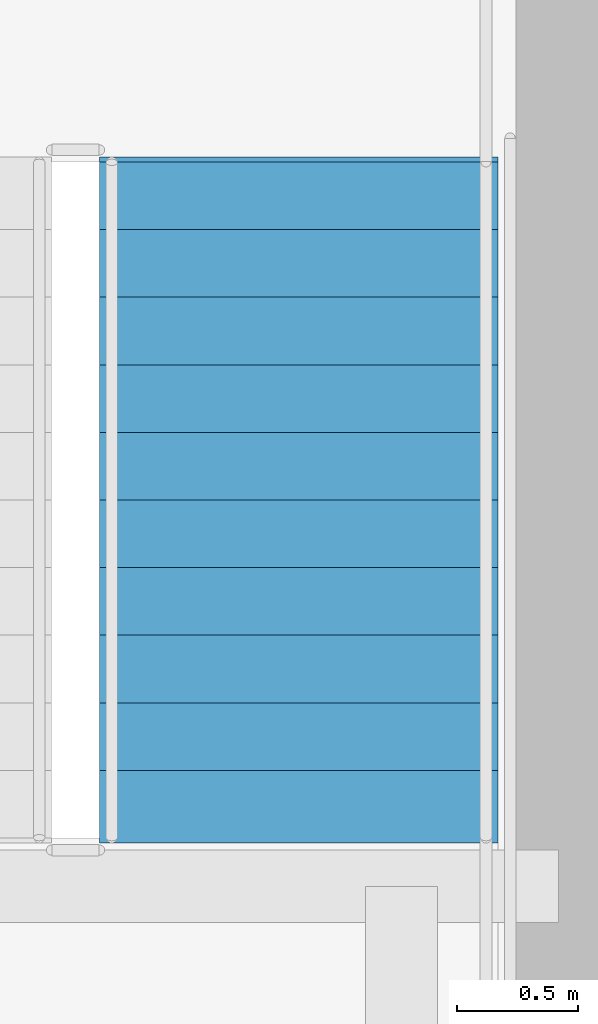
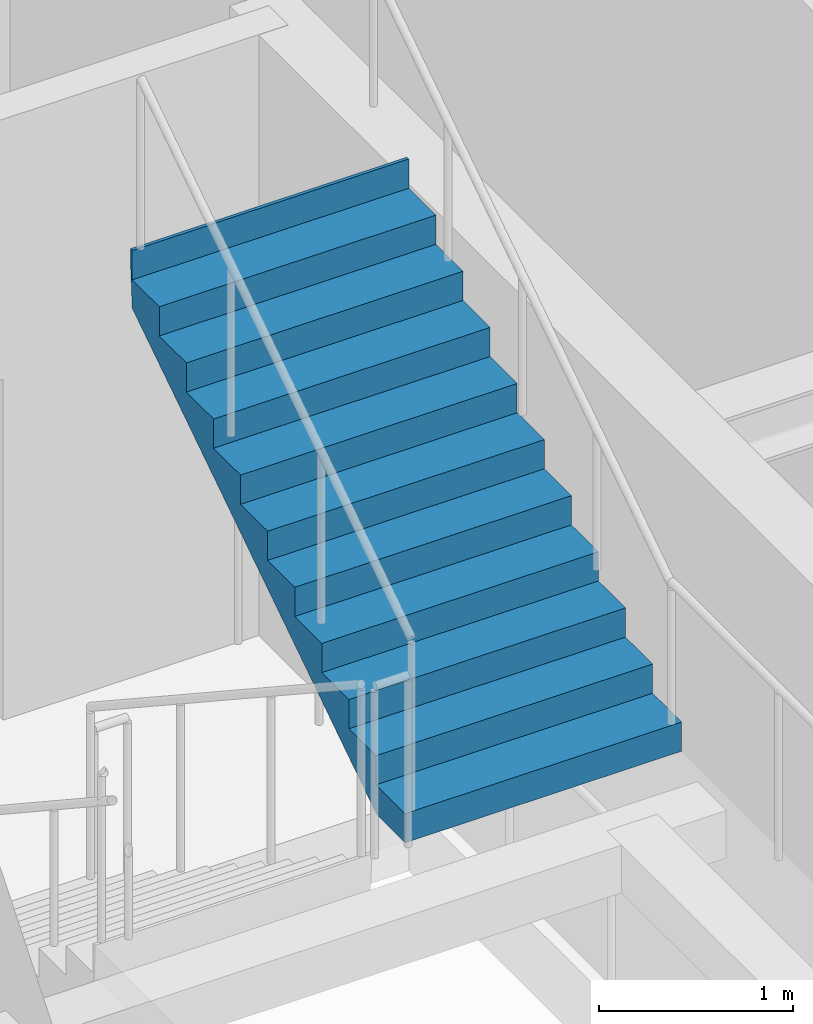
# One storey, part 31 of 36: 1 stair flight, 1 element without a shape of its own.
"""IFC4 building model written with IfcOpenShell, lengths in metres."""

from ifc_helpers import new_model, si_unit, direction, frame, origin, place, context, subcontext, project, spatial, polygons, material, type_object, element, aggregate, save


model = new_model("IFC4")

# Units and contexts
model_context = context("Model", 3, precision=1e-05, world=origin(), true_north=direction((0.0, 1.0)))
body_context = subcontext(model_context, "Body", "Model", "MODEL_VIEW")
ifc_project = project(units=[si_unit("LENGTHUNIT", "METRE"), si_unit("AREAUNIT", "SQUARE_METRE"), si_unit("VOLUMEUNIT", "CUBIC_METRE"), si_unit("PLANEANGLEUNIT", "RADIAN"), si_unit("MASSUNIT", "GRAM", prefix="KILO")], contexts=[model_context])

# Site, building, storey
site_placement = place(None, origin())
site = spatial("IfcSite", under=ifc_project, at=site_placement, CompositionType="ELEMENT")
building_placement = place(site_placement, origin())
building = spatial("IfcBuilding", under=site, at=building_placement, Name="Serunith Strait Residences", CompositionType="ELEMENT")
storey_placement = place(building_placement, frame((0.0, 0.0, 338.0)))
storey = spatial("IfcBuildingStorey", under=building, at=storey_placement, Name="L84", CompositionType="ELEMENT", Elevation=338.0)

# Stair, stair flight
ifc_material = material(Name="Concrete C50/60", Category="concrete")
stair_type = type_object("IfcStairType", Name="STR-CORE-2", PredefinedType="HALF_TURN_STAIR", material=ifc_material)
stair_placement = place(storey_placement, origin())
stair = element("IfcStair", 1, at=stair_placement, inside=storey, type_object=stair_type, Name="L84 Protected Escape Stair ST-2", PredefinedType="HALF_TURN_STAIR")
stair_flight_type = type_object("IfcStairFlightType", Name="FLT-CORE-2", PredefinedType="STRAIGHT", material=ifc_material)
stair_flight_placement = place(storey_placement, frame((40.324951171875, 20.570068359375, 2.02490234375), z_axis=(0.0, 0.0, 1.0), x_axis=(0.0, 1.0, 0.0)))
stair_flight = element("IfcStairFlight", 2, at=stair_flight_placement, type_object=stair_flight_type, Name="ST-2 flight 2", NumberOfRisers=11, NumberOfTreads=10, PredefinedType="STRAIGHT", RiserHeight=0.184090909, TreadLength=0.28, context=body_context, shape_type="Tessellation", body=[
    polygons([(-0.02001953125, -0.824951171875, 0.0), (-0.02001953125, -0.824951171875, 0.18408203125), (0.280029296875, -0.824951171875, 0.18408203125), (0.280029296875, -0.824951171875, 0.3681640625), (0.56005859375, -0.824951171875, 0.3681640625), (0.56005859375, -0.824951171875, 0.55224609375), (0.840087890625, -0.824951171875, 0.55224609375), (0.840087890625, -0.824951171875, 0.736328125), (1.1201171875, -0.824951171875, 0.736328125), (1.1201171875, -0.824951171875, 0.92041015625), (1.39990234375, -0.824951171875, 0.92041015625), (1.39990234375, -0.824951171875, 1.1044921875), (1.679931640625, -0.824951171875, 1.1044921875), (1.679931640625, -0.824951171875, 1.28857421875), (1.9599609375, -0.824951171875, 1.28857421875), (1.9599609375, -0.824951171875, 1.47265625), (2.239990234375, -0.824951171875, 1.47265625), (2.239990234375, -0.824951171875, 1.65673828125), (2.52001953125, -0.824951171875, 1.65673828125), (2.52001953125, -0.824951171875, 1.8408203125), (2.800048828125, -0.824951171875, 1.8408203125), (2.800048828125, -0.824951171875, 2.02490234375), (2.820068359375, -0.824951171875, 2.02490234375), (2.820068359375, -0.824951171875, 1.965087890625), (2.800048828125, -0.824951171875, 1.66162109375), (0.27294921875, -0.824951171875, 0.0), (-0.02001953125, -0.41259765625, 0.0), (-0.02001953125, -0.41259765625, 0.18408203125), (0.280029296875, -0.41259765625, 0.18408203125), (0.280029296875, -0.41259765625, 0.3681640625), (0.56005859375, -0.41259765625, 0.3681640625), (0.56005859375, -0.41259765625, 0.55224609375), (0.840087890625, -0.41259765625, 0.55224609375), (0.840087890625, -0.41259765625, 0.736328125), (1.1201171875, -0.41259765625, 0.736328125), (1.1201171875, -0.41259765625, 0.92041015625), (1.39990234375, -0.41259765625, 0.92041015625), (1.39990234375, -0.41259765625, 1.1044921875), (1.679931640625, -0.41259765625, 1.1044921875), (1.679931640625, -0.41259765625, 1.28857421875), (1.9599609375, -0.41259765625, 1.28857421875), (1.9599609375, -0.41259765625, 1.47265625), (2.239990234375, -0.41259765625, 1.47265625), (2.239990234375, -0.41259765625, 1.65673828125), (2.52001953125, -0.41259765625, 1.65673828125), (2.52001953125, -0.41259765625, 1.8408203125), (2.800048828125, -0.41259765625, 1.8408203125), (2.800048828125, -0.41259765625, 2.02490234375), (2.820068359375, -0.41259765625, 2.02490234375), (2.820068359375, -0.41259765625, 1.965087890625), (2.800048828125, -0.41259765625, 1.66162109375), (0.27294921875, -0.41259765625, 0.0), (-0.02001953125, 0.0, 0.0), (-0.02001953125, 0.0, 0.18408203125), (0.280029296875, 0.0, 0.18408203125), (0.280029296875, 0.0, 0.3681640625), (0.56005859375, 0.0, 0.3681640625), (0.56005859375, 0.0, 0.55224609375), (0.840087890625, 0.0, 0.55224609375), (0.840087890625, 0.0, 0.736328125), (1.1201171875, 0.0, 0.736328125), (1.1201171875, 0.0, 0.92041015625), (1.39990234375, 0.0, 0.92041015625), (1.39990234375, 0.0, 1.1044921875), (1.679931640625, 0.0, 1.1044921875), (1.679931640625, 0.0, 1.28857421875), (1.9599609375, 0.0, 1.28857421875), (1.9599609375, 0.0, 1.47265625), (2.239990234375, 0.0, 1.47265625), (2.239990234375, 0.0, 1.65673828125), (2.52001953125, 0.0, 1.65673828125), (2.52001953125, 0.0, 1.8408203125), (2.800048828125, 0.0, 1.8408203125), (2.800048828125, 0.0, 2.02490234375), (2.820068359375, 0.0, 2.02490234375), (2.820068359375, 0.0, 1.965087890625), (2.800048828125, 0.0, 1.66162109375), (0.27294921875, 0.0, 0.0), (-0.02001953125, 0.41259765625, 0.0), (-0.02001953125, 0.41259765625, 0.18408203125), (0.280029296875, 0.41259765625, 0.18408203125), (0.280029296875, 0.41259765625, 0.3681640625), (0.56005859375, 0.41259765625, 0.3681640625), (0.56005859375, 0.41259765625, 0.55224609375), (0.840087890625, 0.41259765625, 0.55224609375), (0.840087890625, 0.41259765625, 0.736328125), (1.1201171875, 0.41259765625, 0.736328125), (1.1201171875, 0.41259765625, 0.92041015625), (1.39990234375, 0.41259765625, 0.92041015625), (1.39990234375, 0.41259765625, 1.1044921875), (1.679931640625, 0.41259765625, 1.1044921875), (1.679931640625, 0.41259765625, 1.28857421875), (1.9599609375, 0.41259765625, 1.28857421875), (1.9599609375, 0.41259765625, 1.47265625), (2.239990234375, 0.41259765625, 1.47265625), (2.239990234375, 0.41259765625, 1.65673828125), (2.52001953125, 0.41259765625, 1.65673828125), (2.52001953125, 0.41259765625, 1.8408203125), (2.800048828125, 0.41259765625, 1.8408203125), (2.800048828125, 0.41259765625, 2.02490234375), (2.820068359375, 0.41259765625, 2.02490234375), (2.820068359375, 0.41259765625, 1.965087890625), (2.800048828125, 0.41259765625, 1.66162109375), (0.27294921875, 0.41259765625, 0.0), (-0.02001953125, 0.824951171875, 0.0), (-0.02001953125, 0.824951171875, 0.18408203125), (0.280029296875, 0.824951171875, 0.18408203125), (0.280029296875, 0.824951171875, 0.3681640625), (0.56005859375, 0.824951171875, 0.3681640625), (0.56005859375, 0.824951171875, 0.55224609375), (0.840087890625, 0.824951171875, 0.55224609375), (0.840087890625, 0.824951171875, 0.736328125), (1.1201171875, 0.824951171875, 0.736328125), (1.1201171875, 0.824951171875, 0.92041015625), (1.39990234375, 0.824951171875, 0.92041015625), (1.39990234375, 0.824951171875, 1.1044921875), (1.679931640625, 0.824951171875, 1.1044921875), (1.679931640625, 0.824951171875, 1.28857421875), (1.9599609375, 0.824951171875, 1.28857421875), (1.9599609375, 0.824951171875, 1.47265625), (2.239990234375, 0.824951171875, 1.47265625), (2.239990234375, 0.824951171875, 1.65673828125), (2.52001953125, 0.824951171875, 1.65673828125), (2.52001953125, 0.824951171875, 1.8408203125), (2.800048828125, 0.824951171875, 1.8408203125), (2.800048828125, 0.824951171875, 2.02490234375), (2.820068359375, 0.824951171875, 2.02490234375), (2.820068359375, 0.824951171875, 1.965087890625), (2.800048828125, 0.824951171875, 1.66162109375), (0.27294921875, 0.824951171875, 0.0)], [[[1, 2, 28, 27]], [[2, 3, 29, 28]], [[3, 4, 30, 29]], [[4, 5, 31, 30]], [[5, 6, 32, 31]], [[6, 7, 33, 32]], [[7, 8, 34, 33]], [[8, 9, 35, 34]], [[9, 10, 36, 35]], [[10, 11, 37, 36]], [[11, 12, 38, 37]], [[12, 13, 39, 38]], [[13, 14, 40, 39]], [[14, 15, 41, 40]], [[15, 16, 42, 41]], [[16, 17, 43, 42]], [[17, 18, 44, 43]], [[18, 19, 45, 44]], [[19, 20, 46, 45]], [[20, 21, 47, 46]], [[21, 22, 48, 47]], [[22, 23, 49, 48]], [[23, 24, 50, 49]], [[24, 25, 51, 50]], [[25, 26, 52, 51]], [[26, 1, 27, 52]], [[27, 28, 54, 53]], [[28, 29, 55, 54]], [[29, 30, 56, 55]], [[30, 31, 57, 56]], [[31, 32, 58, 57]], [[32, 33, 59, 58]], [[33, 34, 60, 59]], [[34, 35, 61, 60]], [[35, 36, 62, 61]], [[36, 37, 63, 62]], [[37, 38, 64, 63]], [[38, 39, 65, 64]], [[39, 40, 66, 65]], [[40, 41, 67, 66]], [[41, 42, 68, 67]], [[42, 43, 69, 68]], [[43, 44, 70, 69]], [[44, 45, 71, 70]], [[45, 46, 72, 71]], [[46, 47, 73, 72]], [[47, 48, 74, 73]], [[48, 49, 75, 74]], [[49, 50, 76, 75]], [[50, 51, 77, 76]], [[51, 52, 78, 77]], [[52, 27, 53, 78]], [[53, 54, 80, 79]], [[54, 55, 81, 80]], [[55, 56, 82, 81]], [[56, 57, 83, 82]], [[57, 58, 84, 83]], [[58, 59, 85, 84]], [[59, 60, 86, 85]], [[60, 61, 87, 86]], [[61, 62, 88, 87]], [[62, 63, 89, 88]], [[63, 64, 90, 89]], [[64, 65, 91, 90]], [[65, 66, 92, 91]], [[66, 67, 93, 92]], [[67, 68, 94, 93]], [[68, 69, 95, 94]], [[69, 70, 96, 95]], [[70, 71, 97, 96]], [[71, 72, 98, 97]], [[72, 73, 99, 98]], [[73, 74, 100, 99]], [[74, 75, 101, 100]], [[75, 76, 102, 101]], [[76, 77, 103, 102]], [[77, 78, 104, 103]], [[78, 53, 79, 104]], [[79, 80, 106, 105]], [[80, 81, 107, 106]], [[81, 82, 108, 107]], [[82, 83, 109, 108]], [[83, 84, 110, 109]], [[84, 85, 111, 110]], [[85, 86, 112, 111]], [[86, 87, 113, 112]], [[87, 88, 114, 113]], [[88, 89, 115, 114]], [[89, 90, 116, 115]], [[90, 91, 117, 116]], [[91, 92, 118, 117]], [[92, 93, 119, 118]], [[93, 94, 120, 119]], [[94, 95, 121, 120]], [[95, 96, 122, 121]], [[96, 97, 123, 122]], [[97, 98, 124, 123]], [[98, 99, 125, 124]], [[99, 100, 126, 125]], [[100, 101, 127, 126]], [[101, 102, 128, 127]], [[102, 103, 129, 128]], [[103, 104, 130, 129]], [[104, 79, 105, 130]], [[26, 25, 24, 23, 22, 21, 20, 19, 18, 17, 16, 15, 14, 13, 12, 11, 10, 9, 8, 7, 6, 5, 4, 3, 2, 1]], [[105, 106, 107, 108, 109, 110, 111, 112, 113, 114, 115, 116, 117, 118, 119, 120, 121, 122, 123, 124, 125, 126, 127, 128, 129, 130]]], closed=True),
])
aggregate(stair, [stair_flight])

save(model, "model.ifc")
